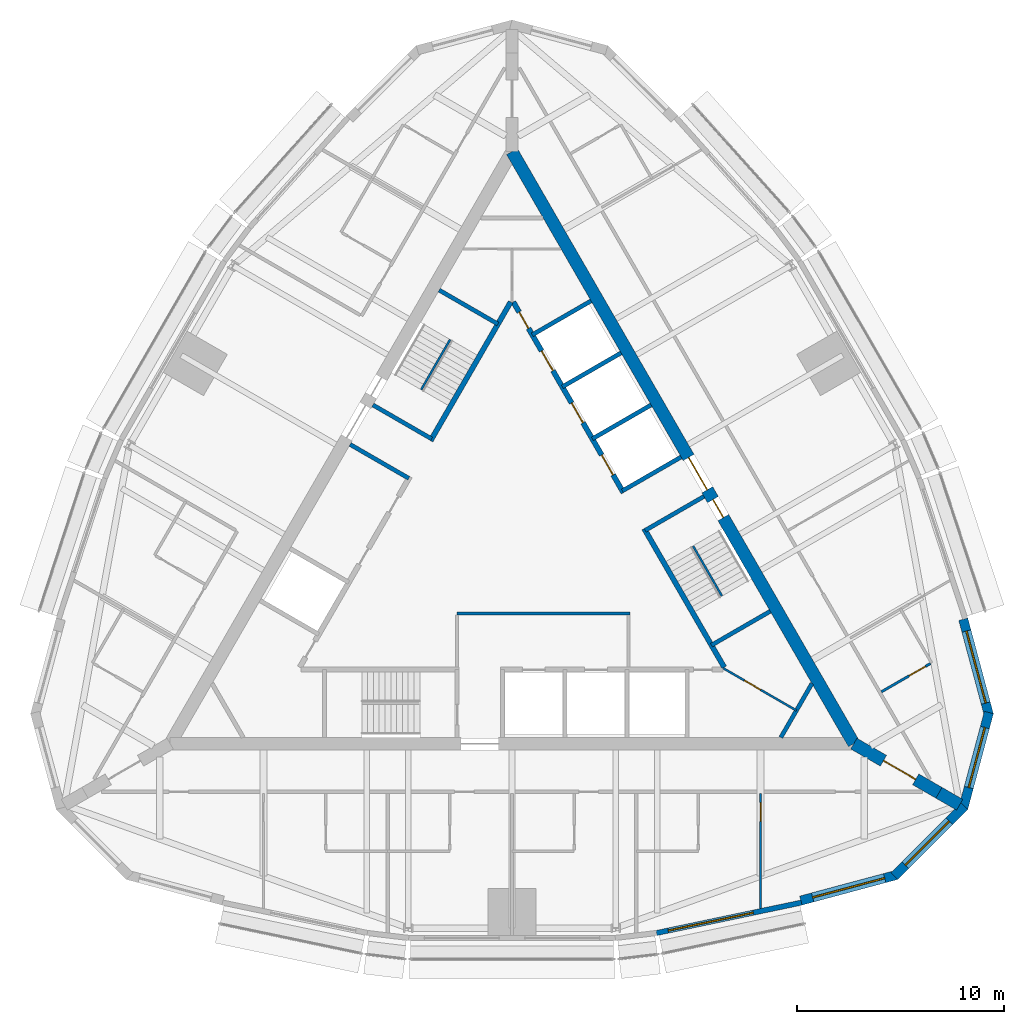
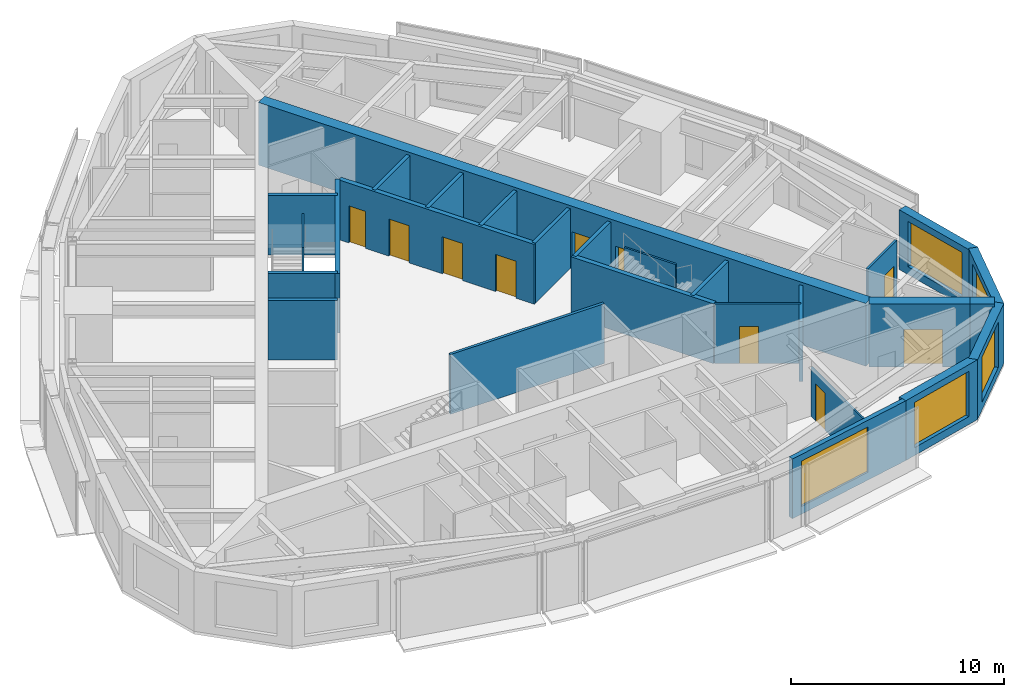
# One storey, part 9 of 12: 27 walls, 10 doors, 5 windows, 15 openings.
"""IFC4 building model written with IfcOpenShell, lengths in metres."""

import ifcopenshell
import ifcopenshell.guid

model = None  # the IFC model being written
_history = None  # IfcOwnerHistory: only IFC2X3 demands one
_inside = {}  # id of a spatial element -> (the spatial element, [elements in it])
_under = {}  # id of a project, library or spatial element -> (it, [spatial elements below it])
_declared = {}  # id of a project -> (the project, [libraries it declares])
_typed = {}  # id of a type object -> (the type object, [elements of that type])
_made_of = {}  # id of a material, layer set ... -> (it, [elements and type objects made of it])


def new_model(schema):
    """Start an empty IFC model of exactly this schema.

    Asked for "IFC4X3", IfcOpenShell would pick the latest addendum, in which some entities
    have other attributes; the version numbers below select the first issue.
    IFC2X3 requires an IfcOwnerHistory on every rooted entity: one is made here for all.
    """
    global model, _history
    if schema == "IFC4X3":
        model = ifcopenshell.file(schema_version=(4, 3, 0, 0))
    else:
        model = ifcopenshell.file(schema=schema)
    _inside.clear()
    _under.clear()
    _declared.clear()
    _typed.clear()
    _made_of.clear()
    _history = None
    if model.schema == "IFC2X3":
        org = make("IfcOrganization", Name="unknown")
        user = make(
            "IfcPersonAndOrganization",
            ThePerson=make("IfcPerson", FamilyName="unknown"),
            TheOrganization=org,
        )
        app = make(
            "IfcApplication",
            ApplicationDeveloper=org,
            Version="unknown",
            ApplicationFullName="unknown",
            ApplicationIdentifier="unknown",
        )
        _history = make(
            "IfcOwnerHistory",
            OwningUser=user,
            OwningApplication=app,
            ChangeAction="ADDED",
            CreationDate=0,
        )
    return model


def make(cls, **values):
    """One entity of the class cls with the attributes given. An attribute that is None is left unset."""
    return model.create_entity(
        cls, **{name: value for name, value in values.items() if value is not None}
    )


def rooted(cls, **values):
    """An entity with a GlobalId (a new one), such as an element, a storey or a relation."""
    return make(cls, GlobalId=ifcopenshell.guid.new(), OwnerHistory=_history, **values)


def si_unit(unit_type, name, prefix=None):
    """IfcSIUnit, for example si_unit("LENGTHUNIT", "METRE", prefix="MILLI")."""
    return make("IfcSIUnit", UnitType=unit_type, Prefix=prefix, Name=name)


def assignment(units):
    """IfcUnitAssignment: the units of a project."""
    return None if units is None else make("IfcUnitAssignment", Units=units)


def point(xyz):
    """IfcCartesianPoint."""
    return None if xyz is None else make("IfcCartesianPoint", Coordinates=xyz)


def direction(xyz):
    """IfcDirection."""
    return None if xyz is None else make("IfcDirection", DirectionRatios=xyz)


def frame(location, z_axis=None, x_axis=None):
    """IfcAxis2Placement3D, a coordinate frame: its origin and axes. An axis left out is left unset."""
    return make(
        "IfcAxis2Placement3D",
        Location=point(location),
        Axis=direction(z_axis),
        RefDirection=direction(x_axis),
    )


def frame_2d(location, x_axis=None):
    """IfcAxis2Placement2D, a coordinate frame in the plane: its origin and x axis."""
    return make(
        "IfcAxis2Placement2D", Location=point(location), RefDirection=direction(x_axis)
    )


def origin():
    """The frame at (0, 0, 0) with its axes left unset."""
    return frame((0.0, 0.0, 0.0))


def place(relative_to, where):
    """IfcLocalPlacement: puts the frame where relative to a parent placement (None: the world)."""
    return make(
        "IfcLocalPlacement", PlacementRelTo=relative_to, RelativePlacement=where
    )


def context(
    kind, dimensions, precision=None, world=None, true_north=None, identifier=None
):
    """IfcGeometricRepresentationContext, for example the 3D "Model" context."""
    return make(
        "IfcGeometricRepresentationContext",
        ContextIdentifier=identifier,
        ContextType=kind,
        CoordinateSpaceDimension=dimensions,
        Precision=precision,
        WorldCoordinateSystem=world,
        TrueNorth=true_north,
    )


def subcontext(parent, identifier, kind, view, scale=None):
    """IfcGeometricRepresentationSubContext, for example "Body" below "Model"."""
    return make(
        "IfcGeometricRepresentationSubContext",
        ContextIdentifier=identifier,
        ContextType=kind,
        ParentContext=parent,
        TargetScale=scale,
        TargetView=view,
    )


def project(units=None, contexts=None):
    """IfcProject with its units and contexts."""
    return rooted(
        "IfcProject",
        Name="project",
        RepresentationContexts=contexts,
        UnitsInContext=assignment(units),
    )


def spatial(cls, under=None, at=None, **own):
    """A site, building, storey or space (cls), placed at a placement, below another one or the project."""
    s = rooted(cls, ObjectPlacement=at, **own)
    if under is not None:
        _under.setdefault(under.id(), (under, []))[1].append(s)
    return s


def polyline(points):
    """IfcPolyline through the points."""
    return make("IfcPolyline", Points=[point(p) for p in points])


def profile(cls, at=None, kind="AREA", **sizes):
    """A parametric profile (cls). Its sizes go by their IFC names, for example OverallWidth=200.0."""
    return make(cls, ProfileType=kind, Position=at, **sizes)


def rectangle(**sizes):
    """IfcRectangleProfileDef."""
    return profile("IfcRectangleProfileDef", **sizes)


def outline(outer, holes=None, kind="AREA"):
    """IfcArbitraryClosedProfileDef: a profile drawn as a closed curve; with holes, ...WithVoids."""
    if holes is None:
        return make("IfcArbitraryClosedProfileDef", ProfileType=kind, OuterCurve=outer)
    return make(
        "IfcArbitraryProfileDefWithVoids",
        ProfileType=kind,
        OuterCurve=outer,
        InnerCurves=holes,
    )


def extrude(swept, where, along, depth):
    """IfcExtrudedAreaSolid: the profile swept, set in the frame where, extruded along a direction by depth."""
    return make(
        "IfcExtrudedAreaSolid",
        SweptArea=swept,
        Position=where,
        ExtrudedDirection=direction(along),
        Depth=depth,
    )


def shape(context_of_items, identifier, shape_type, items):
    """IfcShapeRepresentation: the items that make up one representation, for example the "Body"."""
    return make(
        "IfcShapeRepresentation",
        ContextOfItems=context_of_items,
        RepresentationIdentifier=identifier,
        RepresentationType=shape_type,
        Items=items,
    )


def material(Name=None, Category=None):
    """IfcMaterial."""
    return make("IfcMaterial", Name=Name, Category=Category)


def layer(
    of_material, thickness, ventilated=None, Name=None, Category=None, Priority=None
):
    """IfcMaterialLayer: one layer of a wall or slab, of a material (None: an air gap)."""
    return make(
        "IfcMaterialLayer",
        Material=of_material,
        LayerThickness=thickness,
        IsVentilated=ventilated,
        Name=Name,
        Category=Category,
        Priority=Priority,
    )


def layer_set(layers, Name=None):
    """IfcMaterialLayerSet."""
    return make("IfcMaterialLayerSet", MaterialLayers=layers, LayerSetName=Name)


def made_of(thing, what):
    """Note that an element or type object is made of a material, layer set ...; save() writes the relation."""
    if what is not None:
        _made_of.setdefault(what.id(), (what, []))[1].append(thing)
    return thing


def type_object(cls, material=None, **own):
    """A type object (cls), such as IfcWallType, which elements share."""
    return made_of(rooted(cls, **own), material)


def element(
    cls,
    number,
    at=None,
    inside=None,
    cuts=None,
    type_object=None,
    material=None,
    context=None,
    identifier="Body",
    shape_type=None,
    held_by="IfcProductDefinitionShape",
    body=None,
    shapes=None,
    **own,
):
    """One element of the class cls, such as IfcWall. Its Tag is "e" and its number.

    at: its placement. inside: the storey or other place that contains it. cuts: it is an
    opening in that element (IfcRelVoidsElement). A single representation is given by context,
    identifier, shape_type and body (its items); several are given by shapes. held_by: the class
    of the entity that holds the representations. save() writes the other relations.
    """
    e = rooted(cls, Tag="e%d" % number, ObjectPlacement=at, **own)
    if body is not None:
        shapes = [shape(context, identifier, shape_type, body)]
    if shapes is not None:
        e.Representation = make(held_by, Representations=shapes)
    if inside is not None:
        _inside.setdefault(inside.id(), (inside, []))[1].append(e)
    if cuts is not None:
        rooted(
            "IfcRelVoidsElement", RelatingBuildingElement=cuts, RelatedOpeningElement=e
        )
    if type_object is not None:
        _typed.setdefault(type_object.id(), (type_object, []))[1].append(e)
    return made_of(e, material)


def fill(opening, filler):
    """IfcRelFillsElement: the door or window that sits in an opening."""
    return rooted(
        "IfcRelFillsElement",
        RelatingOpeningElement=opening,
        RelatedBuildingElement=filler,
    )


def aggregate(whole, parts):
    """IfcRelAggregates: a whole, such as a stair, and the parts it consists of."""
    return rooted("IfcRelAggregates", RelatingObject=whole, RelatedObjects=parts)


def save(model, path):
    """Write the relations noted so far, then the file.

    IfcRelAggregates (storeys below a building ...), IfcRelContainedInSpatialStructure (elements
    in a storey), IfcRelDefinesByType, IfcRelAssociatesMaterial and IfcRelDeclares: one each for
    every whole, place, type object, material and project.
    """
    for whole, parts in _under.values():
        aggregate(whole, parts)
    for where, things in _inside.values():
        rooted(
            "IfcRelContainedInSpatialStructure",
            RelatedElements=things,
            RelatingStructure=where,
        )
    for kind, things in _typed.values():
        rooted("IfcRelDefinesByType", RelatedObjects=things, RelatingType=kind)
    for what, things in _made_of.values():
        rooted("IfcRelAssociatesMaterial", RelatedObjects=things, RelatingMaterial=what)
    for by, libraries in _declared.values():
        rooted("IfcRelDeclares", RelatingContext=by, RelatedDefinitions=libraries)
    model.write(path)


model = new_model("IFC4")

# Units and contexts
model_context = context("Model", 3, precision=1e-05, world=origin(), true_north=direction((0.0, 1.0)))
body_context = subcontext(model_context, "Body", "Model", "MODEL_VIEW")
ifc_project = project(units=[si_unit("LENGTHUNIT", "METRE"), si_unit("AREAUNIT", "SQUARE_METRE"), si_unit("VOLUMEUNIT", "CUBIC_METRE"), si_unit("PLANEANGLEUNIT", "RADIAN"), si_unit("MASSUNIT", "GRAM", prefix="KILO")], contexts=[model_context])

# Site, building, storey
site_placement = place(None, origin())
site = spatial("IfcSite", under=ifc_project, at=site_placement, CompositionType="ELEMENT")
building_placement = place(site_placement, origin())
building = spatial("IfcBuilding", under=site, at=building_placement, Name="Trikona Tower", CompositionType="ELEMENT")
storey_placement = place(building_placement, frame((0.0, 0.0, 268.10009765625)))
storey = spatial("IfcBuildingStorey", under=building, at=storey_placement, Name="L71", CompositionType="ELEMENT", Elevation=268.10009765625)

# Wall, opening, door
ifc_material_1 = material(Name="Metal stud and cement board", Category="gypsum")
ifc_layer_1 = layer(ifc_material_1, 0.1201171875)
ifc_layer_set_1 = layer_set([ifc_layer_1], Name="Bathroom wall 120")
wall_type_1 = type_object("IfcWallType", Name="Bathroom wall 120", PredefinedType="PLUMBINGWALL", material=ifc_layer_set_1)
wall_1_placement = place(storey_placement, frame((17.82861328125, -7.027099609375, 0.0), z_axis=(0.0, 0.0, 1.0), x_axis=(0.866035715982, 0.499982138324, 0.0)))
wall_1 = element("IfcWall", 1, at=wall_1_placement, inside=storey, type_object=wall_type_1, Name="Bathroom wall 7105.1", PredefinedType="PLUMBINGWALL", context=body_context, shape_type="SweptSolid", body=[
    extrude(rectangle(XDim=2.73974609375, YDim=0.1201171875, at=frame_2d((1.369873046875, 0.0))), origin(), (0.0, 0.0, 1.0), 3.434814453125),
])
opening_1_placement = place(wall_1_placement, frame((1.550048828125, 0.0, 0.0)))
opening_1 = element("IfcOpeningElement", 2, at=opening_1_placement, cuts=wall_1, Name="Opening D2", PredefinedType="OPENING", context=body_context, shape_type="SweptSolid", body=[
    extrude(rectangle(XDim=0.89990234375, YDim=2.1298828125, at=frame_2d((0.449951171875, 1.06494140625))), frame((0.0, 0.070068359375, 0.0), z_axis=(0.0, -1.0, 0.0), x_axis=(1.0, 0.0, 0.0)), (0.0, 0.0, 1.0), 0.14013671875),
])
ifc_material_2 = material(Name="Steel door frame with solid-core timber leaf", Category="steel")
door_type_1 = type_object("IfcDoorType", Name="Bathroom door 900x2130", OperationType="SLIDING_TO_LEFT", PredefinedType="DOOR", material=ifc_material_2)
door_1_placement = place(opening_1_placement, origin())
door_1 = element("IfcDoor", 3, at=door_1_placement, inside=storey, type_object=door_type_1, Name="Bathroom door 7105.1", OperationType="SLIDING_TO_LEFT", OverallHeight=2.1298828125, OverallWidth=0.89990234375, PredefinedType="DOOR", context=body_context, shape_type="SweptSolid", body=[
    extrude(rectangle(XDim=0.89990234375, YDim=2.1298828125, at=frame_2d((0.449951171875, 1.06494140625))), frame((0.0, 0.02490234375, 0.0), z_axis=(0.0, -1.0, 0.0), x_axis=(1.0, 0.0, 0.0)), (0.0, 0.0, 1.0), 0.050048828125),
])
fill(opening_1, door_1)

# Wall, opening, window
ifc_material_3 = material(Name="Brick-faced precast concrete", Category="masonry")
ifc_layer_2 = layer(ifc_material_3, 0.449951171875)
ifc_layer_set_2 = layer_set([ifc_layer_2], Name="Brick-faced corner wall 450")
wall_type_2 = type_object("IfcWallType", Name="Brick-faced corner wall 450", PredefinedType="SOLIDWALL", material=ifc_layer_set_2)
wall_2_placement = place(storey_placement, frame((13.94189453125, -17.103271484375, 0.0), z_axis=(0.0, 0.0, 1.0), x_axis=(0.965913862671, 0.258863689806, 0.0)))
wall_2 = element("IfcWall", 4, at=wall_2_placement, inside=storey, type_object=wall_type_2, Name="External wall L71-05", PredefinedType="SOLIDWALL", context=body_context, shape_type="SweptSolid", body=[
    extrude(rectangle(XDim=4.78173828125, YDim=0.449951171875, at=frame_2d((2.390869140625, 0.0))), origin(), (0.0, 0.0, 1.0), 3.434814453125),
])
opening_2_placement = place(wall_2_placement, frame((0.5908203125, 0.0, 0.449951171875)))
opening_2 = element("IfcOpeningElement", 5, at=opening_2_placement, cuts=wall_2, Name="Opening W3626", PredefinedType="OPENING", context=body_context, shape_type="SweptSolid", body=[
    extrude(rectangle(XDim=3.60009765625, YDim=2.60009765625, at=frame_2d((1.800048828125, 1.300048828125))), frame((0.0, 0.23486328125, 0.0), z_axis=(0.0, -1.0, 0.0), x_axis=(1.0, 0.0, 0.0)), (0.0, 0.0, 1.0), 0.469970703125),
])
ifc_material_4 = material(Name="Aluminium-framed double glazing", Category="aluminium")
window_type_1 = type_object("IfcWindowType", Name="Window 3600x2600", PartitioningType="SINGLE_PANEL", PredefinedType="WINDOW", material=ifc_material_4)
window_1_placement = place(opening_2_placement, origin())
window_1 = element("IfcWindow", 6, at=window_1_placement, inside=storey, type_object=window_type_1, Name="Window 7104", OverallHeight=2.60009765625, OverallWidth=3.60009765625, PartitioningType="SINGLE_PANEL", PredefinedType="WINDOW", context=body_context, shape_type="SweptSolid", body=[
    extrude(rectangle(XDim=3.60009765625, YDim=2.60009765625, at=frame_2d((1.800048828125, 1.300048828125))), frame((0.0, 0.030029296875, 0.0), z_axis=(0.0, -1.0, 0.0), x_axis=(1.0, 0.0, 0.0)), (0.0, 0.0, 1.0), 0.06005859375),
])
fill(opening_2, window_1)

wall_3_placement = place(storey_placement, frame((18.459716796875, -15.923828125, 0.0), z_axis=(0.0, 0.0, 1.0), x_axis=(0.707081252484, 0.707132308968, 0.0)))
wall_3 = element("IfcWall", 7, at=wall_3_placement, inside=storey, type_object=wall_type_2, Name="External wall L71-06", PredefinedType="SOLIDWALL", context=body_context, shape_type="SweptSolid", body=[
    extrude(outline(polyline([(4.78173828125, 0.22509765625), (4.722900390625, 0.22509765625), (4.37548828125, 0.1318359375), (4.3505859375, 0.22509765625), (0.0, 0.22509765625), (0.0, -0.22509765625), (4.78173828125, -0.22509765625), (4.78173828125, 0.22509765625)])), origin(), (0.0, 0.0, 1.0), 3.434814453125),
])
opening_3_placement = place(wall_3_placement, frame((0.750244140625, 0.0, 0.449951171875)))
opening_3 = element("IfcOpeningElement", 8, at=opening_3_placement, cuts=wall_3, Name="Opening W3026", PredefinedType="OPENING", context=body_context, shape_type="SweptSolid", body=[
    extrude(rectangle(XDim=3.0, YDim=2.60009765625, at=frame_2d((1.5, 1.300048828125))), frame((0.0, 0.23486328125, 0.0), z_axis=(0.0, -1.0, 0.0), x_axis=(1.0, 0.0, 0.0)), (0.0, 0.0, 1.0), 0.469970703125),
])
ifc_material_5 = material(Name="Aluminium-framed double glazing", Category="aluminium")
window_type_2 = type_object("IfcWindowType", Name="Window 3000x2600", PartitioningType="SINGLE_PANEL", PredefinedType="WINDOW", material=ifc_material_5)
window_2_placement = place(opening_3_placement, origin())
window_2 = element("IfcWindow", 9, at=window_2_placement, inside=storey, type_object=window_type_2, Name="Window 7104", OverallHeight=2.60009765625, OverallWidth=3.0, PartitioningType="SINGLE_PANEL", PredefinedType="WINDOW", context=body_context, shape_type="SweptSolid", body=[
    extrude(rectangle(XDim=3.0, YDim=2.60009765625, at=frame_2d((1.5, 1.300048828125))), frame((0.0, 0.030029296875, 0.0), z_axis=(0.0, -1.0, 0.0), x_axis=(1.0, 0.0, 0.0)), (0.0, 0.0, 1.0), 0.06005859375),
])
fill(opening_3, window_2)

wall_4_placement = place(storey_placement, frame((21.78271484375, -12.6435546875, 0.0), z_axis=(0.0, 0.0, 1.0), x_axis=(0.25880328844, 0.965930048136, 0.0)))
wall_4 = element("IfcWall", 10, at=wall_4_placement, inside=storey, type_object=wall_type_2, Name="External wall L71-07", PredefinedType="SOLIDWALL", context=body_context, shape_type="SweptSolid", body=[
    extrude(outline(polyline([(4.78173828125, 0.22509765625), (0.43115234375, 0.22509765625), (0.40625, 0.132080078125), (0.0595703125, 0.22509765625), (0.0, 0.22509765625), (0.0, -0.22509765625), (4.78173828125, -0.22509765625), (4.78173828125, 0.22509765625)])), origin(), (0.0, 0.0, 1.0), 3.434814453125),
])
opening_4_placement = place(wall_4_placement, frame((1.031494140625, 0.0, 0.449951171875)))
opening_4 = element("IfcOpeningElement", 11, at=opening_4_placement, cuts=wall_4, Name="Opening W3026", PredefinedType="OPENING", context=body_context, shape_type="SweptSolid", body=[
    extrude(rectangle(XDim=3.0, YDim=2.60009765625, at=frame_2d((1.5, 1.300048828125))), frame((0.0, 0.23486328125, 0.0), z_axis=(0.0, -1.0, 0.0), x_axis=(1.0, 0.0, 0.0)), (0.0, 0.0, 1.0), 0.469970703125),
])
window_3_placement = place(opening_4_placement, origin())
window_3 = element("IfcWindow", 12, at=window_3_placement, inside=storey, type_object=window_type_2, Name="Window 7105.1", OverallHeight=2.60009765625, OverallWidth=3.0, PartitioningType="SINGLE_PANEL", PredefinedType="WINDOW", context=body_context, shape_type="SweptSolid", body=[
    extrude(rectangle(XDim=3.0, YDim=2.60009765625, at=frame_2d((1.5, 1.300048828125))), frame((0.0, 0.030029296875, 0.0), z_axis=(0.0, -1.0, 0.0), x_axis=(1.0, 0.0, 0.0)), (0.0, 0.0, 1.0), 0.06005859375),
])
fill(opening_4, window_3)

wall_5_placement = place(storey_placement, frame((23.020263671875, -8.14111328125, 0.0), z_axis=(0.0, 0.0, 1.0), x_axis=(-0.25880328844, 0.965930048136, 0.0)))
wall_5 = element("IfcWall", 13, at=wall_5_placement, inside=storey, type_object=wall_type_2, Name="External wall L71-08", PredefinedType="SOLIDWALL", context=body_context, shape_type="SweptSolid", body=[
    extrude(rectangle(XDim=4.78173828125, YDim=0.449951171875, at=frame_2d((2.390869140625, 0.0))), origin(), (0.0, 0.0, 1.0), 3.434814453125),
])
opening_5_placement = place(wall_5_placement, frame((0.5908203125, 0.0, 0.449951171875)))
opening_5 = element("IfcOpeningElement", 14, at=opening_5_placement, cuts=wall_5, Name="Opening W3626", PredefinedType="OPENING", context=body_context, shape_type="SweptSolid", body=[
    extrude(rectangle(XDim=3.60009765625, YDim=2.60009765625, at=frame_2d((1.800048828125, 1.300048828125))), frame((0.0, 0.23486328125, 0.0), z_axis=(0.0, -1.0, 0.0), x_axis=(1.0, 0.0, 0.0)), (0.0, 0.0, 1.0), 0.469970703125),
])
window_4_placement = place(opening_5_placement, origin())
window_4 = element("IfcWindow", 15, at=window_4_placement, inside=storey, type_object=window_type_1, Name="Window 7105.1", OverallHeight=2.60009765625, OverallWidth=3.60009765625, PartitioningType="SINGLE_PANEL", PredefinedType="WINDOW", context=body_context, shape_type="SweptSolid", body=[
    extrude(rectangle(XDim=3.60009765625, YDim=2.60009765625, at=frame_2d((1.800048828125, 1.300048828125))), frame((0.0, 0.030029296875, 0.0), z_axis=(0.0, -1.0, 0.0), x_axis=(1.0, 0.0, 0.0)), (0.0, 0.0, 1.0), 0.06005859375),
])
fill(opening_5, window_4)

# Wall, opening, door
ifc_material_6 = material(Name="Concrete f'c 10000 psi", Category="concrete")
ifc_layer_3 = layer(ifc_material_6, 0.60009765625)
ifc_layer_set_3 = layer_set([ifc_layer_3], Name="Buttress wall 600")
wall_type_3 = type_object("IfcWallType", Name="Buttress wall 600", PredefinedType="SHEAR", material=ifc_layer_set_3)
wall_6_placement = place(storey_placement, frame((16.5, -9.5263671875, 0.0), z_axis=(0.0, 0.0, 1.0), x_axis=(0.866031398331, -0.499989616998, 0.0)))
wall_6 = element("IfcWall", 16, at=wall_6_placement, inside=storey, type_object=wall_type_3, Name="Buttress wall 1", PredefinedType="SHEAR", context=body_context, shape_type="SweptSolid", body=[
    extrude(rectangle(XDim=4.74609375, YDim=0.60009765625, at=frame_2d((2.373046875, 0.0))), origin(), (0.0, 0.0, 1.0), 3.599853515625),
])
opening_6_placement = place(wall_6_placement, frame((1.64990234375, 0.0, 0.0)))
opening_6 = element("IfcOpeningElement", 17, at=opening_6_placement, cuts=wall_6, Name="Opening D10", PredefinedType="OPENING", context=body_context, shape_type="SweptSolid", body=[
    extrude(rectangle(XDim=1.800048828125, YDim=2.1298828125, at=frame_2d((0.89990234375, 1.06494140625))), frame((0.0, 0.31005859375, 0.0), z_axis=(0.0, -1.0, 0.0), x_axis=(1.0, 0.0, 0.0)), (0.0, 0.0, 1.0), 0.6201171875),
])
ifc_material_7 = material(Name="Hollow metal door and frame", Category="steel")
door_type_2 = type_object("IfcDoorType", Name="Cross-corridor door pair 1800x2130", OperationType="DOUBLE_DOOR_DOUBLE_SWING", PredefinedType="DOOR", material=ifc_material_7)
door_2_placement = place(opening_6_placement, origin())
door_2 = element("IfcDoor", 18, at=door_2_placement, inside=storey, type_object=door_type_2, Name="Cross-corridor door 1", OperationType="DOUBLE_DOOR_DOUBLE_SWING", OverallHeight=2.1298828125, OverallWidth=1.800048828125, PredefinedType="DOOR", context=body_context, shape_type="SweptSolid", body=[
    extrude(rectangle(XDim=1.800048828125, YDim=2.1298828125, at=frame_2d((0.89990234375, 1.06494140625))), frame((0.0, 0.02490234375, 0.0), z_axis=(0.0, -1.0, 0.0), x_axis=(1.0, 0.0, 0.0)), (0.0, 0.0, 1.0), 0.050048828125),
])
fill(opening_6, door_2)

# Wall
wall_7_placement = place(storey_placement, frame((20.6103515625, -11.8994140625, 0.0), z_axis=(0.0, 0.0, 1.0), x_axis=(0.866009537788, -0.500027479704, 0.0)))
element("IfcWall", 19, at=wall_7_placement, inside=storey, type_object=wall_type_3, Name="Buttress wall 1 part 2", PredefinedType="SHEAR", context=body_context, shape_type="SweptSolid", body=[
    extrude(rectangle(XDim=1.15478515625, YDim=0.60009765625, at=frame_2d((0.577392578125, 0.0))), origin(), (0.0, 0.0, 1.0), 3.599853515625),
])

# Wall, openings, doors
ifc_material_8 = material(Name="Concrete f'c 10000 psi", Category="concrete")
ifc_layer_4 = layer(ifc_material_8, 0.60009765625)
ifc_layer_set_4 = layer_set([ifc_layer_4], Name="Core wall 600")
wall_type_4 = type_object("IfcWallType", Name="Core wall 600", PredefinedType="SHEAR", material=ifc_layer_set_4)
wall_8_placement = place(storey_placement, frame((16.5, -9.5263671875, 0.0), z_axis=(0.0, 0.0, 1.0), x_axis=(-0.499999749417, 0.866025548458, 0.0)))
wall_8 = element("IfcWall", 20, at=wall_8_placement, inside=storey, type_object=wall_type_4, Name="Core wall B", PredefinedType="SHEAR", context=body_context, shape_type="SweptSolid", body=[
    extrude(rectangle(XDim=33.0, YDim=0.60009765625, at=frame_2d((16.5, 0.0))), origin(), (0.0, 0.0, 1.0), 3.599853515625),
])
opening_7_placement = place(wall_8_placement, frame((14.14990234375, 0.0, 0.0)))
opening_7 = element("IfcOpeningElement", 21, at=opening_7_placement, cuts=wall_8, Name="Opening D6", PredefinedType="OPENING", context=body_context, shape_type="SweptSolid", body=[
    extrude(rectangle(XDim=1.800048828125, YDim=2.1298828125, at=frame_2d((0.89990234375, 1.06494140625))), frame((0.0, 0.31005859375, 0.0), z_axis=(0.0, -1.0, 0.0), x_axis=(1.0, 0.0, 0.0)), (0.0, 0.0, 1.0), 0.6201171875),
])
opening_8_placement = place(wall_8_placement, frame((12.60009765625, 0.0, 0.0)))
opening_8 = element("IfcOpeningElement", 22, at=opening_8_placement, cuts=wall_8, Name="Opening D5", PredefinedType="OPENING", context=body_context, shape_type="SweptSolid", body=[
    extrude(rectangle(XDim=1.0, YDim=2.1298828125, at=frame_2d((0.5, 1.06494140625))), frame((0.0, 0.31005859375, 0.0), z_axis=(0.0, -1.0, 0.0), x_axis=(1.0, 0.0, 0.0)), (0.0, 0.0, 1.0), 0.6201171875),
])
ifc_material_9 = material(Name="Hollow metal door and frame", Category="steel")
door_type_3 = type_object("IfcDoorType", Name="Lobby door pair 1800x2130", OperationType="DOUBLE_DOOR_SINGLE_SWING", PredefinedType="DOOR", material=ifc_material_9)
door_3_placement = place(opening_7_placement, origin())
door_3 = element("IfcDoor", 23, at=door_3_placement, inside=storey, type_object=door_type_3, Name="Lift lobby door B", OperationType="DOUBLE_DOOR_SINGLE_SWING", OverallHeight=2.1298828125, OverallWidth=1.800048828125, PredefinedType="DOOR", context=body_context, shape_type="SweptSolid", body=[
    extrude(rectangle(XDim=1.800048828125, YDim=2.1298828125, at=frame_2d((0.89990234375, 1.06494140625))), frame((0.0, 0.02490234375, 0.0), z_axis=(0.0, -1.0, 0.0), x_axis=(1.0, 0.0, 0.0)), (0.0, 0.0, 1.0), 0.050048828125),
])
fill(opening_7, door_3)
ifc_material_10 = material(Name="Hollow metal door and frame", Category="steel")
door_type_4 = type_object("IfcDoorType", Name="Stair door 1000x2130", OperationType="SINGLE_SWING_LEFT", PredefinedType="DOOR", material=ifc_material_10)
door_4_placement = place(opening_8_placement, origin())
door_4 = element("IfcDoor", 24, at=door_4_placement, inside=storey, type_object=door_type_4, Name="Stair B door", OperationType="SINGLE_SWING_RIGHT", OverallHeight=2.1298828125, OverallWidth=1.0, PredefinedType="DOOR", context=body_context, shape_type="SweptSolid", body=[
    extrude(rectangle(XDim=1.0, YDim=2.1298828125, at=frame_2d((0.5, 1.06494140625))), frame((0.0, 0.02490234375, 0.0), z_axis=(0.0, -1.0, 0.0), x_axis=(1.0, 0.0, 0.0)), (0.0, 0.0, 1.0), 0.050048828125),
])
fill(opening_8, door_4)

# Wall
ifc_material_11 = material(Name="Concrete f'c 8000 psi", Category="concrete")
ifc_layer_5 = layer(ifc_material_11, 0.25)
ifc_layer_set_5 = layer_set([ifc_layer_5], Name="Hub wall 250")
wall_type_5 = type_object("IfcWallType", Name="Hub wall 250", PredefinedType="SOLIDWALL", material=ifc_layer_set_5)
wall_9_placement = place(storey_placement, frame((10.245361328125, -5.843017578125, 0.0), z_axis=(0.0, 0.0, 1.0), x_axis=(-0.499993009313, 0.866029439822, 0.0)))
element("IfcWall", 25, at=wall_9_placement, inside=storey, type_object=wall_type_5, Name="Lift lobby wall B1", PredefinedType="SOLIDWALL", context=body_context, shape_type="SweptSolid", body=[
    extrude(rectangle(XDim=7.73291015625, YDim=0.25, at=frame_2d((3.866455078125, 0.0))), origin(), (0.0, 0.0, 1.0), 3.434814453125),
])

# Wall, openings, doors
wall_10_placement = place(storey_placement, frame((5.37890625, 2.5859375, 0.0), z_axis=(0.0, 0.0, 1.0), x_axis=(-0.500001375892, 0.866024609411, 0.0)))
wall_10 = element("IfcWall", 26, at=wall_10_placement, inside=storey, type_object=wall_type_5, Name="Lift lobby wall B2", PredefinedType="SOLIDWALL", context=body_context, shape_type="SweptSolid", body=[
    extrude(rectangle(XDim=10.6328125, YDim=0.25, at=frame_2d((5.31640625, 0.0))), origin(), (0.0, 0.0, 1.0), 3.434814453125),
])
opening_9_placement = place(wall_10_placement, frame((9.1640625, 0.0, 0.0)))
opening_9 = element("IfcOpeningElement", 27, at=opening_9_placement, cuts=wall_10, Name="Opening D14", PredefinedType="OPENING", context=body_context, shape_type="SweptSolid", body=[
    extrude(rectangle(XDim=0.89990234375, YDim=2.1298828125, at=frame_2d((0.449951171875, 1.06494140625))), frame((0.0, 0.135009765625, 0.0), z_axis=(0.0, -1.0, 0.0), x_axis=(1.0, 0.0, 0.0)), (0.0, 0.0, 1.0), 0.27001953125),
])
opening_10_placement = place(wall_10_placement, frame((1.0, 0.0, 0.0)))
opening_10 = element("IfcOpeningElement", 28, at=opening_10_placement, cuts=wall_10, Name="Opening LD", PredefinedType="OPENING", context=body_context, shape_type="SweptSolid", body=[
    extrude(rectangle(XDim=1.10009765625, YDim=2.1298828125, at=frame_2d((0.550048828125, 1.06494140625))), frame((0.0, 0.135009765625, 0.0), z_axis=(0.0, -1.0, 0.0), x_axis=(1.0, 0.0, 0.0)), (0.0, 0.0, 1.0), 0.27001953125),
])
opening_11_placement = place(wall_10_placement, frame((3.89990234375, 0.0, 0.0)))
opening_11 = element("IfcOpeningElement", 29, at=opening_11_placement, cuts=wall_10, Name="Opening LD", PredefinedType="OPENING", context=body_context, shape_type="SweptSolid", body=[
    extrude(rectangle(XDim=1.10009765625, YDim=2.1298828125, at=frame_2d((0.550048828125, 1.06494140625))), frame((0.0, 0.135009765625, 0.0), z_axis=(0.0, -1.0, 0.0), x_axis=(1.0, 0.0, 0.0)), (0.0, 0.0, 1.0), 0.27001953125),
])
opening_12_placement = place(wall_10_placement, frame((6.800048828125, 0.0, 0.0)))
opening_12 = element("IfcOpeningElement", 30, at=opening_12_placement, cuts=wall_10, Name="Opening LD", PredefinedType="OPENING", context=body_context, shape_type="SweptSolid", body=[
    extrude(rectangle(XDim=1.10009765625, YDim=2.1298828125, at=frame_2d((0.550048828125, 1.06494140625))), frame((0.0, 0.135009765625, 0.0), z_axis=(0.0, -1.0, 0.0), x_axis=(1.0, 0.0, 0.0)), (0.0, 0.0, 1.0), 0.27001953125),
])
ifc_material_12 = material(Name="Stainless steel lift landing door", Category="steel")
door_type_5 = type_object("IfcDoorType", Name="Lift landing door 1100x2130", OperationType="DOUBLE_DOOR_SLIDING", PredefinedType="USERDEFINED", material=ifc_material_12)
door_5_placement = place(opening_10_placement, origin())
door_5 = element("IfcDoor", 31, at=door_5_placement, inside=storey, type_object=door_type_5, Name="Lift landing door L3-1", ObjectType="LIFT LANDING DOOR", OperationType="DOUBLE_DOOR_SLIDING", OverallHeight=2.1298828125, OverallWidth=1.10009765625, PredefinedType="USERDEFINED", context=body_context, shape_type="SweptSolid", body=[
    extrude(rectangle(XDim=1.10009765625, YDim=2.1298828125, at=frame_2d((0.550048828125, 1.06494140625))), frame((0.0, 0.02490234375, 0.0), z_axis=(0.0, -1.0, 0.0), x_axis=(1.0, 0.0, 0.0)), (0.0, 0.0, 1.0), 0.050048828125),
])
fill(opening_10, door_5)
door_6_placement = place(opening_11_placement, origin())
door_6 = element("IfcDoor", 32, at=door_6_placement, inside=storey, type_object=door_type_5, Name="Lift landing door L3-2", ObjectType="LIFT LANDING DOOR", OperationType="DOUBLE_DOOR_SLIDING", OverallHeight=2.1298828125, OverallWidth=1.10009765625, PredefinedType="USERDEFINED", context=body_context, shape_type="SweptSolid", body=[
    extrude(rectangle(XDim=1.10009765625, YDim=2.1298828125, at=frame_2d((0.550048828125, 1.06494140625))), frame((0.0, 0.02490234375, 0.0), z_axis=(0.0, -1.0, 0.0), x_axis=(1.0, 0.0, 0.0)), (0.0, 0.0, 1.0), 0.050048828125),
])
fill(opening_11, door_6)
door_7_placement = place(opening_12_placement, origin())
door_7 = element("IfcDoor", 33, at=door_7_placement, inside=storey, type_object=door_type_5, Name="Lift landing door L3-3", ObjectType="LIFT LANDING DOOR", OperationType="DOUBLE_DOOR_SLIDING", OverallHeight=2.1298828125, OverallWidth=1.10009765625, PredefinedType="USERDEFINED", context=body_context, shape_type="SweptSolid", body=[
    extrude(rectangle(XDim=1.10009765625, YDim=2.1298828125, at=frame_2d((0.550048828125, 1.06494140625))), frame((0.0, 0.02490234375, 0.0), z_axis=(0.0, -1.0, 0.0), x_axis=(1.0, 0.0, 0.0)), (0.0, 0.0, 1.0), 0.050048828125),
])
fill(opening_12, door_7)
ifc_material_13 = material(Name="Hollow metal door and frame", Category="steel")
door_type_6 = type_object("IfcDoorType", Name="Service room door 900x2130", OperationType="SINGLE_SWING_LEFT", PredefinedType="DOOR", material=ifc_material_13)
door_8_placement = place(opening_9_placement, origin())
door_8 = element("IfcDoor", 34, at=door_8_placement, inside=storey, type_object=door_type_6, Name="Door Ice and vending ICE", OperationType="SINGLE_SWING_RIGHT", OverallHeight=2.1298828125, OverallWidth=0.89990234375, PredefinedType="DOOR", context=body_context, shape_type="SweptSolid", body=[
    extrude(rectangle(XDim=0.89990234375, YDim=2.1298828125, at=frame_2d((0.449951171875, 1.06494140625))), frame((0.0, 0.02490234375, 0.0), z_axis=(0.0, -1.0, 0.0), x_axis=(1.0, 0.0, 0.0)), (0.0, 0.0, 1.0), 0.050048828125),
])
fill(opening_9, door_8)

# Wall
wall_11_placement = place(storey_placement, frame((-0.0625, 11.794189453125, 0.0), z_axis=(0.0, 0.0, 1.0), x_axis=(-0.500006680225, -0.86602154692, 0.0)))
element("IfcWall", 35, at=wall_11_placement, inside=storey, type_object=wall_type_5, Name="Lift lobby wall C1", PredefinedType="SOLIDWALL", context=body_context, shape_type="SweptSolid", body=[
    extrude(rectangle(XDim=7.73291015625, YDim=0.25, at=frame_2d((3.866455078125, 0.0))), origin(), (0.0, 0.0, 1.0), 3.434814453125),
])

# Wall, opening, window
ifc_material_14 = material(Name="Insulated precast concrete spandrel panel", Category="concrete")
ifc_layer_6 = layer(ifc_material_14, 0.25)
ifc_layer_set_6 = layer_set([ifc_layer_6], Name="Inner skin wall 250")
wall_type_6 = type_object("IfcWallType", Name="Inner skin wall 250", PredefinedType="STANDARD", material=ifc_layer_set_6)
wall_12_placement = place(storey_placement, frame((6.974365234375, -18.668212890625, 0.0), z_axis=(0.0, 0.0, 1.0), x_axis=(0.978654320409, 0.205513311355, 0.0)))
wall_12 = element("IfcWall", 36, at=wall_12_placement, inside=storey, type_object=wall_type_6, Name="External wall L71-04", PredefinedType="STANDARD", context=body_context, shape_type="SweptSolid", body=[
    extrude(rectangle(XDim=7.152587890625, YDim=0.25, at=frame_2d((3.576171875, 0.0))), origin(), (0.0, 0.0, 1.0), 3.434814453125),
])
opening_13_placement = place(wall_12_placement, frame((0.576904296875, 0.0, 0.449951171875)))
opening_13 = element("IfcOpeningElement", 37, at=opening_13_placement, cuts=wall_12, Name="Opening W4226", PredefinedType="OPENING", context=body_context, shape_type="SweptSolid", body=[
    extrude(rectangle(XDim=4.199951171875, YDim=2.60009765625, at=frame_2d((2.10009765625, 1.300048828125))), frame((0.0, 0.135009765625, 0.0), z_axis=(0.0, -1.0, 0.0), x_axis=(1.0, 0.0, 0.0)), (0.0, 0.0, 1.0), 0.27001953125),
])
ifc_material_15 = material(Name="Aluminium-framed double glazing", Category="aluminium")
window_type_3 = type_object("IfcWindowType", Name="Window 4200x2600", PartitioningType="SINGLE_PANEL", PredefinedType="WINDOW", material=ifc_material_15)
window_5_placement = place(opening_13_placement, origin())
window_5 = element("IfcWindow", 38, at=window_5_placement, inside=storey, type_object=window_type_3, Name="Window 7104.1", OverallHeight=2.60009765625, OverallWidth=4.199951171875, PartitioningType="SINGLE_PANEL", PredefinedType="WINDOW", context=body_context, shape_type="SweptSolid", body=[
    extrude(rectangle(XDim=4.199951171875, YDim=2.60009765625, at=frame_2d((2.10009765625, 1.300048828125))), frame((0.0, 0.030029296875, 0.0), z_axis=(0.0, -1.0, 0.0), x_axis=(1.0, 0.0, 0.0)), (0.0, 0.0, 1.0), 0.06005859375),
])
fill(opening_13, window_5)

# Walls
ifc_material_16 = material(Name="Metal stud and gypsum board, 2-hour shaft wall", Category="gypsum")
ifc_layer_7 = layer(ifc_material_16, 0.14990234375)
ifc_layer_set_7 = layer_set([ifc_layer_7], Name="Lobby wall 150")
wall_type_7 = type_object("IfcWallType", Name="Lobby wall 150", PredefinedType="PARTITIONING", material=ifc_layer_set_7)
wall_13_placement = place(storey_placement, frame((-2.64990234375, -3.251220703125, 0.0), z_axis=(0.0, 0.0, 1.0), x_axis=(1.0, 0.0, 0.0)))
element("IfcWall", 39, at=wall_13_placement, inside=storey, type_object=wall_type_7, Name="Fire service lift lobby wall 1", PredefinedType="PARTITIONING", context=body_context, shape_type="SweptSolid", body=[
    extrude(rectangle(XDim=8.349853515625, YDim=0.14990234375, at=frame_2d((4.1748046875, 0.0))), origin(), (0.0, 0.0, 1.0), 3.434814453125),
])
ifc_material_17 = material(Name="Concrete f'c 8000 psi", Category="concrete")
ifc_layer_8 = layer(ifc_material_17, 0.199951171875)
ifc_layer_set_8 = layer_set([ifc_layer_8], Name="Shaft wall 200")
wall_type_8 = type_object("IfcWallType", Name="Shaft wall 200", PredefinedType="SOLIDWALL", material=ifc_layer_set_8)
for number, where, z_axis, x_axis, name in (
    (40, (5.3291015625, 2.672607421875, 0.0), (0.0, 0.0, 1.0), (0.866027924134, 0.499995634601, 0.0), "Shaft wall B3"),
    (41, (3.87890625, 5.18408203125, 0.0), (0.0, 0.0, 1.0), (0.866027924134, 0.499995634601, 0.0), "Shaft wall B4"),
    (42, (2.428955078125, 7.695556640625, 0.0), (0.0, 0.0, 1.0), (0.866027924134, 0.499995634601, 0.0), "Shaft wall B5"),
    (43, (0.97900390625, 10.20703125, 0.0), (0.0, 0.0, 1.0), (0.866027924134, 0.499995634601, 0.0), "Shaft wall B6"),
    (44, (-4.97900390625, 3.27880859375, 0.0), (0.0, 0.0, 1.0), (-0.866027924134, 0.499995634601, 0.0), "Shaft wall C3"),
):
    element("IfcWall", number, at=place(storey_placement, frame(where, z_axis=z_axis, x_axis=x_axis)), inside=storey, type_object=wall_type_8, Name=name, PredefinedType="SOLIDWALL", context=body_context, shape_type="SweptSolid", body=[
        extrude(rectangle(XDim=3.27490234375, YDim=0.199951171875, at=frame_2d((1.637451171875, 0.0))), origin(), (0.0, 0.0, 1.0), 3.434814453125),
    ])
wall_14_placement = place(storey_placement, frame((14.479248046875, -6.626220703125, 0.0), z_axis=(0.0, 0.0, 1.0), x_axis=(-0.499952404951, -0.866052881055, 0.0)))
element("IfcWall", 45, at=wall_14_placement, inside=storey, type_object=wall_type_8, Name="Riser wall L71-RS1", PredefinedType="SOLIDWALL", context=body_context, shape_type="SweptSolid", body=[
    extrude(rectangle(XDim=3.002197265625, YDim=0.199951171875, at=frame_2d((1.5009765625, 0.0))), origin(), (0.0, 0.0, 1.0), 3.434814453125),
])
ifc_material_18 = material(Name="Concrete f'c 8000 psi", Category="concrete")
ifc_layer_9 = layer(ifc_material_18, 0.199951171875)
ifc_layer_set_9 = layer_set([ifc_layer_9], Name="Shaft wall 200 load-bearing")
wall_type_9 = type_object("IfcWallType", Name="Shaft wall 200 load-bearing", PredefinedType="SOLIDWALL", material=ifc_layer_set_9)
wall_15_placement = place(storey_placement, frame((9.62890625, -4.775390625, 0.0), z_axis=(0.0, 0.0, 1.0), x_axis=(0.865995643347, 0.500051543047, 0.0)))
element("IfcWall", 46, at=wall_15_placement, inside=storey, type_object=wall_type_9, Name="Shaft wall B1", PredefinedType="SOLIDWALL", context=body_context, shape_type="SweptSolid", body=[
    extrude(rectangle(XDim=3.275146484375, YDim=0.199951171875, at=frame_2d((1.6376953125, 0.0))), origin(), (0.0, 0.0, 1.0), 3.434814453125),
])
for number, where, z_axis, x_axis, name in (
    (47, (6.428955078125, 0.767333984375, 0.0), (0.0, 0.0, 1.0), (0.866027924134, 0.499995634601, 0.0), "Shaft wall B2"),
    (48, (-0.678955078125, 10.7265625, 0.0), (0.0, 0.0, 1.0), (-0.866027924134, 0.499995634601, 0.0), "Shaft wall C1"),
    (49, (-3.87890625, 5.18408203125, 0.0), (0.0, 0.0, 1.0), (-0.866027924134, 0.499995634601, 0.0), "Shaft wall C2"),
):
    element("IfcWall", number, at=place(storey_placement, frame(where, z_axis=z_axis, x_axis=x_axis)), inside=storey, type_object=wall_type_9, Name=name, PredefinedType="SOLIDWALL", context=body_context, shape_type="SweptSolid", body=[
        extrude(rectangle(XDim=3.27490234375, YDim=0.199951171875, at=frame_2d((1.637451171875, 0.0))), origin(), (0.0, 0.0, 1.0), 3.434814453125),
    ])
ifc_material_19 = material(Name="Concrete f'c 5000 psi", Category="concrete")
ifc_layer_10 = layer(ifc_material_19, 0.10009765625)
ifc_layer_set_10 = layer_set([ifc_layer_10], Name="Stair spine wall 100")
wall_type_10 = type_object("IfcWallType", Name="Stair spine wall 100", PredefinedType="SOLIDWALL", material=ifc_layer_set_10)
for number, where, z_axis, x_axis, name in (
    (50, (10.134765625, -2.4013671875, 0.0), (0.0, 0.0, 1.0), (-0.499992232847, 0.866029888106, 0.0), "Stair B spine wall L71"),
    (51, (-2.98779296875, 9.9775390625, 0.0), (0.0, 0.0, 1.0), (-0.499992232847, -0.866029888106, 0.0), "Stair C spine wall L71"),
):
    element("IfcWall", number, at=place(storey_placement, frame(where, z_axis=z_axis, x_axis=x_axis)), inside=storey, type_object=wall_type_10, Name=name, PredefinedType="SOLIDWALL", context=body_context, shape_type="SweptSolid", body=[
        extrude(rectangle(XDim=2.7939453125, YDim=0.10009765625, at=frame_2d((1.39697265625, 0.0))), origin(), (0.0, 0.0, 1.0), 3.599853515625),
    ])

# Wall, opening, door
ifc_material_20 = material(Name="Metal stud and gypsum board, acoustic", Category="gypsum")
ifc_layer_11 = layer(ifc_material_20, 0.10009765625)
ifc_layer_set_11 = layer_set([ifc_layer_11], Name="Suite partition 100")
wall_type_11 = type_object("IfcWallType", Name="Suite partition 100", PredefinedType="PARTITIONING", material=ifc_layer_set_11)
wall_16_placement = place(storey_placement, frame((12.0, -11.92626953125, 0.0), z_axis=(0.0, 0.0, 1.0), x_axis=(0.0, -1.0, 0.0)))
wall_16 = element("IfcWall", 52, at=wall_16_placement, inside=storey, type_object=wall_type_11, Name="Suite partition L71 F1 u12", PredefinedType="PARTITIONING", context=body_context, shape_type="SweptSolid", body=[
    extrude(rectangle(XDim=5.558837890625, YDim=0.10009765625, at=frame_2d((2.779296875, 0.0))), origin(), (0.0, 0.0, 1.0), 2.82275390625),
])
opening_14_placement = place(wall_16_placement, frame((0.449951171875, 0.0, 0.0)))
opening_14 = element("IfcOpeningElement", 53, at=opening_14_placement, cuts=wall_16, Name="Opening D13", PredefinedType="OPENING", context=body_context, shape_type="SweptSolid", body=[
    extrude(rectangle(XDim=0.89990234375, YDim=2.1298828125, at=frame_2d((0.449951171875, 1.06494140625))), frame((0.0, 0.06005859375, 0.0), z_axis=(0.0, -1.0, 0.0), x_axis=(1.0, 0.0, 0.0)), (0.0, 0.0, 1.0), 0.1201171875),
])
ifc_material_21 = material(Name="Steel door frame with solid-core timber leaf", Category="steel")
door_type_7 = type_object("IfcDoorType", Name="Suite door 900x2130", OperationType="SINGLE_SWING_LEFT", PredefinedType="DOOR", material=ifc_material_21)
door_9_placement = place(opening_14_placement, origin())
door_9 = element("IfcDoor", 54, at=door_9_placement, inside=storey, type_object=door_type_7, Name="Suite door 7104", OperationType="SINGLE_SWING_LEFT", OverallHeight=2.1298828125, OverallWidth=0.89990234375, PredefinedType="DOOR", context=body_context, shape_type="SweptSolid", body=[
    extrude(rectangle(XDim=0.89990234375, YDim=2.1298828125, at=frame_2d((0.449951171875, 1.06494140625))), frame((0.0, 0.02490234375, 0.0), z_axis=(0.0, -1.0, 0.0), x_axis=(1.0, 0.0, 0.0)), (0.0, 0.0, 1.0), 0.050048828125),
])
fill(opening_14, door_9)

wall_17_placement = place(storey_placement, frame((13.728759765625, -7.92626953125, 0.0), z_axis=(0.0, 0.0, 1.0), x_axis=(-0.866029956157, 0.499992114976, 0.0)))
wall_17 = element("IfcWall", 55, at=wall_17_placement, inside=storey, type_object=wall_type_11, Name="Store partition L71-RS1", PredefinedType="PARTITIONING", context=body_context, shape_type="SweptSolid", body=[
    extrude(rectangle(XDim=4.0751953125, YDim=0.10009765625, at=frame_2d((2.03759765625, 0.0))), origin(), (0.0, 0.0, 1.0), 3.434814453125),
])
opening_15_placement = place(wall_17_placement, frame((1.9951171875, 0.0, 0.0)))
opening_15 = element("IfcOpeningElement", 56, at=opening_15_placement, cuts=wall_17, Name="Opening D15", PredefinedType="OPENING", context=body_context, shape_type="SweptSolid", body=[
    extrude(rectangle(XDim=0.89990234375, YDim=2.1298828125, at=frame_2d((0.449951171875, 1.06494140625))), frame((0.0, 0.06005859375, 0.0), z_axis=(0.0, -1.0, 0.0), x_axis=(1.0, 0.0, 0.0)), (0.0, 0.0, 1.0), 0.1201171875),
])
ifc_material_22 = material(Name="Steel door frame with solid-core timber leaf", Category="steel")
door_type_8 = type_object("IfcDoorType", Name="Store door 900x2130", OperationType="SINGLE_SWING_LEFT", PredefinedType="DOOR", material=ifc_material_22)
door_10_placement = place(opening_15_placement, origin())
door_10 = element("IfcDoor", 57, at=door_10_placement, inside=storey, type_object=door_type_8, Name="Door Luggage store LUG", OperationType="SINGLE_SWING_RIGHT", OverallHeight=2.1298828125, OverallWidth=0.89990234375, PredefinedType="DOOR", context=body_context, shape_type="SweptSolid", body=[
    extrude(rectangle(XDim=0.89990234375, YDim=2.1298828125, at=frame_2d((0.449951171875, 1.06494140625))), frame((0.0, 0.02490234375, 0.0), z_axis=(0.0, -1.0, 0.0), x_axis=(1.0, 0.0, 0.0)), (0.0, 0.0, 1.0), 0.050048828125),
])
fill(opening_15, door_10)

save(model, "model.ifc")
